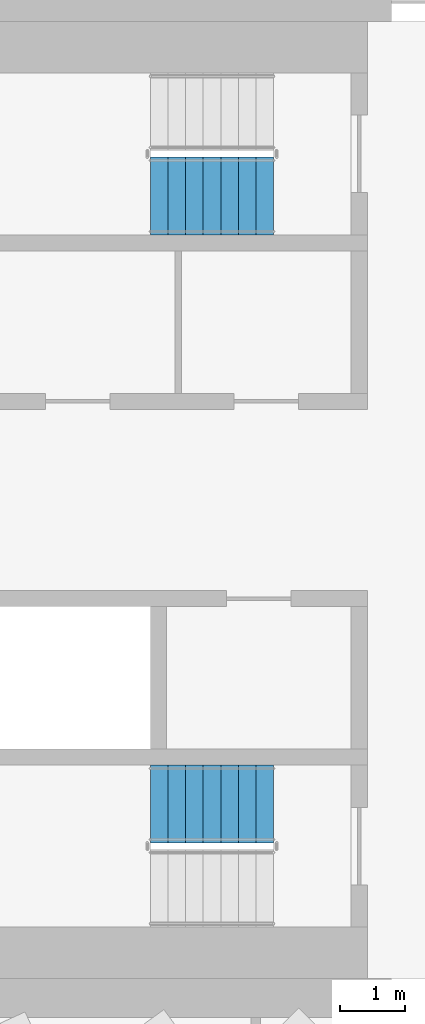
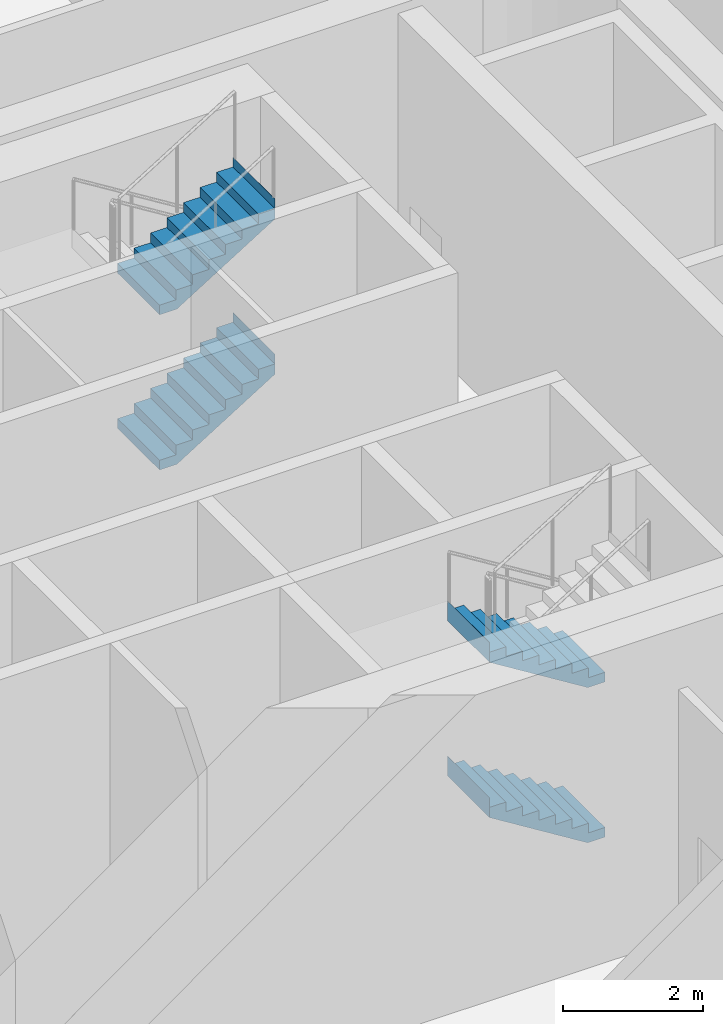
# One storey, part 10 of 18: 4 stair flights, 2 elements without a shape of their own.
"""IFC4 building model written with IfcOpenShell, lengths in metres."""

from ifc_helpers import new_model, si_unit, direction, frame, origin, place, context, subcontext, project, spatial, triangles, material, type_object, element, aggregate, save


model = new_model("IFC4")

# Units and contexts
model_context = context("Model", 3, precision=1e-05, world=origin(), true_north=direction((0.0, 1.0)))
body_context = subcontext(model_context, "Body", "Model", "MODEL_VIEW")
ifc_project = project(units=[si_unit("LENGTHUNIT", "METRE"), si_unit("AREAUNIT", "SQUARE_METRE"), si_unit("VOLUMEUNIT", "CUBIC_METRE"), si_unit("PLANEANGLEUNIT", "RADIAN"), si_unit("MASSUNIT", "GRAM", prefix="KILO")], contexts=[model_context])

# Site, building, storey
site_placement = place(None, origin())
site = spatial("IfcSite", under=ifc_project, at=site_placement, CompositionType="ELEMENT")
building_placement = place(site_placement, origin())
building = spatial("IfcBuilding", under=site, at=building_placement, Name="Sahrelin Media Tower", CompositionType="ELEMENT")
storey_placement = place(building_placement, frame((0.0, 0.0, 96.60009765625)))
storey = spatial("IfcBuildingStorey", under=building, at=storey_placement, Name="L18", CompositionType="ELEMENT", Elevation=96.60009765625)

# Stair, stair flights
ifc_material = material(Name="Concrete C40/50", Category="concrete")
stair_type = type_object("IfcStairType", Name="Exit stair 1200", PredefinedType="HALF_TURN_STAIR", material=ifc_material)
placement = place(storey_placement, origin())
stair_1 = element("IfcStair", 1, at=placement, inside=storey, type_object=stair_type, Name="L18 Exit stair ST3", PredefinedType="HALF_TURN_STAIR")
stair_flight_type = type_object("IfcStairFlightType", Name="Stair flight 1200", PredefinedType="STRAIGHT", material=ifc_material)
stair_flight_1_placement = place(storey_placement, frame((5.77490234375, 4.699951171875, 1.349853515625), z_axis=(0.0, 0.0, 1.0), x_axis=(1.0, 0.0, 0.0)))
stair_flight_1 = element("IfcStairFlight", 2, at=stair_flight_1_placement, type_object=stair_flight_type, Name="ST3 flight 2", NumberOfRisers=8, NumberOfTreads=7, PredefinedType="STRAIGHT", RiserHeight=0.16875, TreadLength=0.271428571, context=body_context, shape_type="Tessellation", body=[
    triangles([(0.283935546875, 0.60009765625, 0.0), (0.283935546875, 0.300048828125, 0.0), (0.283935546875, 0.0, 0.0), (0.283935546875, -0.300048828125, 0.0), (0.283935546875, -0.60009765625, 0.0), (1.89990234375, 0.60009765625, 1.004638671875), (1.89990234375, 0.300048828125, 1.004638671875), (1.89990234375, 0.0, 1.004638671875), (1.89990234375, -0.300048828125, 1.004638671875), (1.89990234375, -0.60009765625, 1.004638671875), (1.89990234375, 0.60009765625, 1.35009765625), (1.89990234375, 0.300048828125, 1.35009765625), (1.89990234375, 0.0, 1.35009765625), (1.89990234375, -0.300048828125, 1.35009765625), (1.89990234375, -0.60009765625, 1.35009765625), (1.89794921875, 0.60009765625, 1.35009765625), (1.89794921875, 0.300048828125, 1.35009765625), (1.89794921875, 0.0, 1.35009765625), (1.89794921875, -0.300048828125, 1.35009765625), (1.89794921875, -0.60009765625, 1.35009765625), (1.89794921875, 0.60009765625, 1.18115234375), (1.89794921875, 0.300048828125, 1.18115234375), (1.89794921875, 0.0, 1.18115234375), (1.89794921875, -0.300048828125, 1.18115234375), (1.89794921875, -0.60009765625, 1.18115234375), (1.628662109375, 0.60009765625, 1.18115234375), (1.628662109375, 0.300048828125, 1.18115234375), (1.628662109375, 0.0, 1.18115234375), (1.628662109375, -0.300048828125, 1.18115234375), (1.628662109375, -0.60009765625, 1.18115234375), (1.628662109375, 0.60009765625, 1.012451171875), (1.628662109375, 0.300048828125, 1.012451171875), (1.628662109375, 0.0, 1.012451171875), (1.628662109375, -0.300048828125, 1.012451171875), (1.628662109375, -0.60009765625, 1.012451171875), (1.357177734375, 0.60009765625, 1.012451171875), (1.357177734375, 0.300048828125, 1.012451171875), (1.357177734375, 0.0, 1.012451171875), (1.357177734375, -0.300048828125, 1.012451171875), (1.357177734375, -0.60009765625, 1.012451171875), (1.357177734375, 0.60009765625, 0.84375), (1.357177734375, 0.300048828125, 0.84375), (1.357177734375, 0.0, 0.84375), (1.357177734375, -0.300048828125, 0.84375), (1.357177734375, -0.60009765625, 0.84375), (1.085693359375, 0.60009765625, 0.84375), (1.085693359375, 0.300048828125, 0.84375), (1.085693359375, 0.0, 0.84375), (1.085693359375, -0.300048828125, 0.84375), (1.085693359375, -0.60009765625, 0.84375), (1.085693359375, 0.60009765625, 0.675048828125), (1.085693359375, 0.300048828125, 0.675048828125), (1.085693359375, 0.0, 0.675048828125), (1.085693359375, -0.300048828125, 0.675048828125), (1.085693359375, -0.60009765625, 0.675048828125), (0.814208984375, 0.60009765625, 0.675048828125), (0.814208984375, 0.300048828125, 0.675048828125), (0.814208984375, 0.0, 0.675048828125), (0.814208984375, -0.300048828125, 0.675048828125), (0.814208984375, -0.60009765625, 0.675048828125), (0.814208984375, 0.60009765625, 0.50634765625), (0.814208984375, 0.300048828125, 0.50634765625), (0.814208984375, 0.0, 0.50634765625), (0.814208984375, -0.300048828125, 0.50634765625), (0.814208984375, -0.60009765625, 0.50634765625), (0.54296875, 0.60009765625, 0.50634765625), (0.54296875, 0.300048828125, 0.50634765625), (0.54296875, 0.0, 0.50634765625), (0.54296875, -0.300048828125, 0.50634765625), (0.54296875, -0.60009765625, 0.50634765625), (0.54296875, 0.60009765625, 0.33740234375), (0.54296875, 0.300048828125, 0.33740234375), (0.54296875, 0.0, 0.33740234375), (0.54296875, -0.300048828125, 0.33740234375), (0.54296875, -0.60009765625, 0.33740234375), (0.271484375, 0.60009765625, 0.33740234375), (0.271484375, 0.300048828125, 0.33740234375), (0.271484375, 0.0, 0.33740234375), (0.271484375, -0.300048828125, 0.33740234375), (0.271484375, -0.60009765625, 0.33740234375), (0.271484375, 0.60009765625, 0.168701171875), (0.271484375, 0.300048828125, 0.168701171875), (0.271484375, 0.0, 0.168701171875), (0.271484375, -0.300048828125, 0.168701171875), (0.271484375, -0.60009765625, 0.168701171875), (0.0, 0.60009765625, 0.168701171875), (0.0, 0.300048828125, 0.168701171875), (0.0, 0.0, 0.168701171875), (0.0, -0.300048828125, 0.168701171875), (0.0, -0.60009765625, 0.168701171875), (0.0, 0.60009765625, 0.0), (0.0, 0.300048828125, 0.0), (0.0, 0.0, 0.0), (0.0, -0.300048828125, 0.0), (0.0, -0.60009765625, 0.0)], [[1, 6, 7], [1, 7, 2], [2, 7, 8], [2, 8, 3], [3, 8, 9], [3, 9, 4], [4, 9, 10], [4, 10, 5], [6, 11, 12], [6, 12, 7], [7, 12, 13], [7, 13, 8], [8, 13, 14], [8, 14, 9], [9, 14, 15], [9, 15, 10], [11, 16, 17], [11, 17, 12], [12, 17, 18], [12, 18, 13], [13, 18, 19], [13, 19, 14], [14, 19, 20], [14, 20, 15], [16, 21, 22], [16, 22, 17], [17, 22, 23], [17, 23, 18], [18, 23, 24], [18, 24, 19], [19, 24, 25], [19, 25, 20], [21, 26, 27], [21, 27, 22], [22, 27, 28], [22, 28, 23], [23, 28, 29], [23, 29, 24], [24, 29, 30], [24, 30, 25], [26, 31, 32], [26, 32, 27], [27, 32, 33], [27, 33, 28], [28, 33, 34], [28, 34, 29], [29, 34, 35], [29, 35, 30], [31, 36, 37], [31, 37, 32], [32, 37, 38], [32, 38, 33], [33, 38, 39], [33, 39, 34], [34, 39, 40], [34, 40, 35], [36, 41, 42], [36, 42, 37], [37, 42, 43], [37, 43, 38], [38, 43, 44], [38, 44, 39], [39, 44, 45], [39, 45, 40], [41, 46, 47], [41, 47, 42], [42, 47, 48], [42, 48, 43], [43, 48, 49], [43, 49, 44], [44, 49, 50], [44, 50, 45], [46, 51, 52], [46, 52, 47], [47, 52, 53], [47, 53, 48], [48, 53, 54], [48, 54, 49], [49, 54, 55], [49, 55, 50], [51, 56, 57], [51, 57, 52], [52, 57, 58], [52, 58, 53], [53, 58, 59], [53, 59, 54], [54, 59, 60], [54, 60, 55], [56, 61, 62], [56, 62, 57], [57, 62, 63], [57, 63, 58], [58, 63, 64], [58, 64, 59], [59, 64, 65], [59, 65, 60], [61, 66, 67], [61, 67, 62], [62, 67, 68], [62, 68, 63], [63, 68, 69], [63, 69, 64], [64, 69, 70], [64, 70, 65], [66, 71, 72], [66, 72, 67], [67, 72, 73], [67, 73, 68], [68, 73, 74], [68, 74, 69], [69, 74, 75], [69, 75, 70], [71, 76, 77], [71, 77, 72], [72, 77, 78], [72, 78, 73], [73, 78, 79], [73, 79, 74], [74, 79, 80], [74, 80, 75], [76, 81, 82], [76, 82, 77], [77, 82, 83], [77, 83, 78], [78, 83, 84], [78, 84, 79], [79, 84, 85], [79, 85, 80], [81, 86, 87], [81, 87, 82], [82, 87, 88], [82, 88, 83], [83, 88, 89], [83, 89, 84], [84, 89, 90], [84, 90, 85], [86, 91, 92], [86, 92, 87], [87, 92, 93], [87, 93, 88], [88, 93, 94], [88, 94, 89], [89, 94, 95], [89, 95, 90], [91, 1, 2], [91, 2, 92], [92, 2, 3], [92, 3, 93], [93, 3, 4], [93, 4, 94], [94, 4, 5], [94, 5, 95], [85, 90, 95], [81, 91, 86], [85, 75, 80], [81, 76, 71], [75, 65, 70], [71, 66, 61], [65, 55, 60], [61, 56, 51], [55, 45, 50], [51, 46, 41], [45, 35, 40], [41, 36, 31], [35, 25, 30], [31, 26, 21], [25, 15, 20], [21, 16, 11], [95, 5, 85], [91, 81, 1], [5, 55, 65], [1, 61, 51], [25, 10, 15], [21, 11, 6], [75, 85, 5], [71, 1, 81], [10, 45, 55], [6, 51, 41], [35, 10, 25], [31, 21, 6], [65, 75, 5], [61, 1, 71], [45, 10, 35], [41, 31, 6], [5, 10, 55], [1, 51, 6]], closed=True),
])
stair_flight_2_placement = place(storey_placement, frame((5.77490234375, 4.699951171875, 4.0498046875), z_axis=(0.0, 0.0, 1.0), x_axis=(1.0, 0.0, 0.0)))
stair_flight_2 = element("IfcStairFlight", 3, at=stair_flight_2_placement, type_object=stair_flight_type, Name="ST3 flight 4", NumberOfRisers=8, NumberOfTreads=7, PredefinedType="STRAIGHT", RiserHeight=0.16875, TreadLength=0.271428571, context=body_context, shape_type="Tessellation", body=[
    triangles([(0.283935546875, 0.60009765625, 0.0), (0.283935546875, 0.300048828125, 0.0), (0.283935546875, 0.0, 0.0), (0.283935546875, -0.300048828125, 0.0), (0.283935546875, -0.60009765625, 0.0), (1.89990234375, 0.60009765625, 1.004638671875), (1.89990234375, 0.300048828125, 1.004638671875), (1.89990234375, 0.0, 1.004638671875), (1.89990234375, -0.300048828125, 1.004638671875), (1.89990234375, -0.60009765625, 1.004638671875), (1.89990234375, 0.60009765625, 1.35009765625), (1.89990234375, 0.300048828125, 1.35009765625), (1.89990234375, 0.0, 1.35009765625), (1.89990234375, -0.300048828125, 1.35009765625), (1.89990234375, -0.60009765625, 1.35009765625), (1.89794921875, 0.60009765625, 1.35009765625), (1.89794921875, 0.300048828125, 1.35009765625), (1.89794921875, 0.0, 1.35009765625), (1.89794921875, -0.300048828125, 1.35009765625), (1.89794921875, -0.60009765625, 1.35009765625), (1.89794921875, 0.60009765625, 1.18115234375), (1.89794921875, 0.300048828125, 1.18115234375), (1.89794921875, 0.0, 1.18115234375), (1.89794921875, -0.300048828125, 1.18115234375), (1.89794921875, -0.60009765625, 1.18115234375), (1.628662109375, 0.60009765625, 1.18115234375), (1.628662109375, 0.300048828125, 1.18115234375), (1.628662109375, 0.0, 1.18115234375), (1.628662109375, -0.300048828125, 1.18115234375), (1.628662109375, -0.60009765625, 1.18115234375), (1.628662109375, 0.60009765625, 1.012451171875), (1.628662109375, 0.300048828125, 1.012451171875), (1.628662109375, 0.0, 1.012451171875), (1.628662109375, -0.300048828125, 1.012451171875), (1.628662109375, -0.60009765625, 1.012451171875), (1.357177734375, 0.60009765625, 1.012451171875), (1.357177734375, 0.300048828125, 1.012451171875), (1.357177734375, 0.0, 1.012451171875), (1.357177734375, -0.300048828125, 1.012451171875), (1.357177734375, -0.60009765625, 1.012451171875), (1.357177734375, 0.60009765625, 0.84375), (1.357177734375, 0.300048828125, 0.84375), (1.357177734375, 0.0, 0.84375), (1.357177734375, -0.300048828125, 0.84375), (1.357177734375, -0.60009765625, 0.84375), (1.085693359375, 0.60009765625, 0.84375), (1.085693359375, 0.300048828125, 0.84375), (1.085693359375, 0.0, 0.84375), (1.085693359375, -0.300048828125, 0.84375), (1.085693359375, -0.60009765625, 0.84375), (1.085693359375, 0.60009765625, 0.675048828125), (1.085693359375, 0.300048828125, 0.675048828125), (1.085693359375, 0.0, 0.675048828125), (1.085693359375, -0.300048828125, 0.675048828125), (1.085693359375, -0.60009765625, 0.675048828125), (0.814208984375, 0.60009765625, 0.675048828125), (0.814208984375, 0.300048828125, 0.675048828125), (0.814208984375, 0.0, 0.675048828125), (0.814208984375, -0.300048828125, 0.675048828125), (0.814208984375, -0.60009765625, 0.675048828125), (0.814208984375, 0.60009765625, 0.50634765625), (0.814208984375, 0.300048828125, 0.50634765625), (0.814208984375, 0.0, 0.50634765625), (0.814208984375, -0.300048828125, 0.50634765625), (0.814208984375, -0.60009765625, 0.50634765625), (0.54296875, 0.60009765625, 0.50634765625), (0.54296875, 0.300048828125, 0.50634765625), (0.54296875, 0.0, 0.50634765625), (0.54296875, -0.300048828125, 0.50634765625), (0.54296875, -0.60009765625, 0.50634765625), (0.54296875, 0.60009765625, 0.33740234375), (0.54296875, 0.300048828125, 0.33740234375), (0.54296875, 0.0, 0.33740234375), (0.54296875, -0.300048828125, 0.33740234375), (0.54296875, -0.60009765625, 0.33740234375), (0.271484375, 0.60009765625, 0.33740234375), (0.271484375, 0.300048828125, 0.33740234375), (0.271484375, 0.0, 0.33740234375), (0.271484375, -0.300048828125, 0.33740234375), (0.271484375, -0.60009765625, 0.33740234375), (0.271484375, 0.60009765625, 0.168701171875), (0.271484375, 0.300048828125, 0.168701171875), (0.271484375, 0.0, 0.168701171875), (0.271484375, -0.300048828125, 0.168701171875), (0.271484375, -0.60009765625, 0.168701171875), (0.0, 0.60009765625, 0.168701171875), (0.0, 0.300048828125, 0.168701171875), (0.0, 0.0, 0.168701171875), (0.0, -0.300048828125, 0.168701171875), (0.0, -0.60009765625, 0.168701171875), (0.0, 0.60009765625, 0.0), (0.0, 0.300048828125, 0.0), (0.0, 0.0, 0.0), (0.0, -0.300048828125, 0.0), (0.0, -0.60009765625, 0.0)], [[1, 6, 7], [1, 7, 2], [2, 7, 8], [2, 8, 3], [3, 8, 9], [3, 9, 4], [4, 9, 10], [4, 10, 5], [6, 11, 12], [6, 12, 7], [7, 12, 13], [7, 13, 8], [8, 13, 14], [8, 14, 9], [9, 14, 15], [9, 15, 10], [11, 16, 17], [11, 17, 12], [12, 17, 18], [12, 18, 13], [13, 18, 19], [13, 19, 14], [14, 19, 20], [14, 20, 15], [16, 21, 22], [16, 22, 17], [17, 22, 23], [17, 23, 18], [18, 23, 24], [18, 24, 19], [19, 24, 25], [19, 25, 20], [21, 26, 27], [21, 27, 22], [22, 27, 28], [22, 28, 23], [23, 28, 29], [23, 29, 24], [24, 29, 30], [24, 30, 25], [26, 31, 32], [26, 32, 27], [27, 32, 33], [27, 33, 28], [28, 33, 34], [28, 34, 29], [29, 34, 35], [29, 35, 30], [31, 36, 37], [31, 37, 32], [32, 37, 38], [32, 38, 33], [33, 38, 39], [33, 39, 34], [34, 39, 40], [34, 40, 35], [36, 41, 42], [36, 42, 37], [37, 42, 43], [37, 43, 38], [38, 43, 44], [38, 44, 39], [39, 44, 45], [39, 45, 40], [41, 46, 47], [41, 47, 42], [42, 47, 48], [42, 48, 43], [43, 48, 49], [43, 49, 44], [44, 49, 50], [44, 50, 45], [46, 51, 52], [46, 52, 47], [47, 52, 53], [47, 53, 48], [48, 53, 54], [48, 54, 49], [49, 54, 55], [49, 55, 50], [51, 56, 57], [51, 57, 52], [52, 57, 58], [52, 58, 53], [53, 58, 59], [53, 59, 54], [54, 59, 60], [54, 60, 55], [56, 61, 62], [56, 62, 57], [57, 62, 63], [57, 63, 58], [58, 63, 64], [58, 64, 59], [59, 64, 65], [59, 65, 60], [61, 66, 67], [61, 67, 62], [62, 67, 68], [62, 68, 63], [63, 68, 69], [63, 69, 64], [64, 69, 70], [64, 70, 65], [66, 71, 72], [66, 72, 67], [67, 72, 73], [67, 73, 68], [68, 73, 74], [68, 74, 69], [69, 74, 75], [69, 75, 70], [71, 76, 77], [71, 77, 72], [72, 77, 78], [72, 78, 73], [73, 78, 79], [73, 79, 74], [74, 79, 80], [74, 80, 75], [76, 81, 82], [76, 82, 77], [77, 82, 83], [77, 83, 78], [78, 83, 84], [78, 84, 79], [79, 84, 85], [79, 85, 80], [81, 86, 87], [81, 87, 82], [82, 87, 88], [82, 88, 83], [83, 88, 89], [83, 89, 84], [84, 89, 90], [84, 90, 85], [86, 91, 92], [86, 92, 87], [87, 92, 93], [87, 93, 88], [88, 93, 94], [88, 94, 89], [89, 94, 95], [89, 95, 90], [91, 1, 2], [91, 2, 92], [92, 2, 3], [92, 3, 93], [93, 3, 4], [93, 4, 94], [94, 4, 5], [94, 5, 95], [85, 90, 95], [81, 91, 86], [85, 75, 80], [81, 76, 71], [75, 65, 70], [71, 66, 61], [65, 55, 60], [61, 56, 51], [55, 45, 50], [51, 46, 41], [45, 35, 40], [41, 36, 31], [35, 25, 30], [31, 26, 21], [25, 15, 20], [21, 16, 11], [95, 5, 85], [91, 81, 1], [5, 55, 65], [1, 61, 51], [25, 10, 15], [21, 11, 6], [75, 85, 5], [71, 1, 81], [10, 45, 55], [6, 51, 41], [35, 10, 25], [31, 21, 6], [65, 75, 5], [61, 1, 71], [45, 10, 35], [41, 31, 6], [5, 10, 55], [1, 51, 6]], closed=True),
])
aggregate(stair_1, [stair_flight_1, stair_flight_2])

stair_2 = element("IfcStair", 4, at=placement, inside=storey, type_object=stair_type, Name="L18 Exit stair ST2", PredefinedType="HALF_TURN_STAIR")
stair_flight_3_placement = place(storey_placement, frame((7.675048828125, -4.699951171875, 0.0), z_axis=(0.0, 0.0, 1.0), x_axis=(-1.0, 0.0, 0.0)))
stair_flight_3 = element("IfcStairFlight", 5, at=stair_flight_3_placement, type_object=stair_flight_type, Name="ST2 flight 1", NumberOfRisers=8, NumberOfTreads=7, PredefinedType="STRAIGHT", RiserHeight=0.16875, TreadLength=0.271428571, context=body_context, shape_type="Tessellation", body=[
    triangles([(0.283935546875, 0.60009765625, 0.0), (0.283935546875, 0.300048828125, 0.0), (0.283935546875, 0.0, 0.0), (0.283935546875, -0.300048828125, 0.0), (0.283935546875, -0.60009765625, 0.0), (1.89990234375, 0.60009765625, 1.004638671875), (1.89990234375, 0.300048828125, 1.004638671875), (1.89990234375, 0.0, 1.004638671875), (1.89990234375, -0.300048828125, 1.004638671875), (1.89990234375, -0.60009765625, 1.004638671875), (1.89990234375, 0.60009765625, 1.35009765625), (1.89990234375, 0.300048828125, 1.35009765625), (1.89990234375, 0.0, 1.35009765625), (1.89990234375, -0.300048828125, 1.35009765625), (1.89990234375, -0.60009765625, 1.35009765625), (1.89794921875, 0.60009765625, 1.35009765625), (1.89794921875, 0.300048828125, 1.35009765625), (1.89794921875, 0.0, 1.35009765625), (1.89794921875, -0.300048828125, 1.35009765625), (1.89794921875, -0.60009765625, 1.35009765625), (1.89794921875, 0.60009765625, 1.18115234375), (1.89794921875, 0.300048828125, 1.18115234375), (1.89794921875, 0.0, 1.18115234375), (1.89794921875, -0.300048828125, 1.18115234375), (1.89794921875, -0.60009765625, 1.18115234375), (1.628662109375, 0.60009765625, 1.18115234375), (1.628662109375, 0.300048828125, 1.18115234375), (1.628662109375, 0.0, 1.18115234375), (1.628662109375, -0.300048828125, 1.18115234375), (1.628662109375, -0.60009765625, 1.18115234375), (1.628662109375, 0.60009765625, 1.012451171875), (1.628662109375, 0.300048828125, 1.012451171875), (1.628662109375, 0.0, 1.012451171875), (1.628662109375, -0.300048828125, 1.012451171875), (1.628662109375, -0.60009765625, 1.012451171875), (1.357177734375, 0.60009765625, 1.012451171875), (1.357177734375, 0.300048828125, 1.012451171875), (1.357177734375, 0.0, 1.012451171875), (1.357177734375, -0.300048828125, 1.012451171875), (1.357177734375, -0.60009765625, 1.012451171875), (1.357177734375, 0.60009765625, 0.84375), (1.357177734375, 0.300048828125, 0.84375), (1.357177734375, 0.0, 0.84375), (1.357177734375, -0.300048828125, 0.84375), (1.357177734375, -0.60009765625, 0.84375), (1.085693359375, 0.60009765625, 0.84375), (1.085693359375, 0.300048828125, 0.84375), (1.085693359375, 0.0, 0.84375), (1.085693359375, -0.300048828125, 0.84375), (1.085693359375, -0.60009765625, 0.84375), (1.085693359375, 0.60009765625, 0.675048828125), (1.085693359375, 0.300048828125, 0.675048828125), (1.085693359375, 0.0, 0.675048828125), (1.085693359375, -0.300048828125, 0.675048828125), (1.085693359375, -0.60009765625, 0.675048828125), (0.814208984375, 0.60009765625, 0.675048828125), (0.814208984375, 0.300048828125, 0.675048828125), (0.814208984375, 0.0, 0.675048828125), (0.814208984375, -0.300048828125, 0.675048828125), (0.814208984375, -0.60009765625, 0.675048828125), (0.814208984375, 0.60009765625, 0.50634765625), (0.814208984375, 0.300048828125, 0.50634765625), (0.814208984375, 0.0, 0.50634765625), (0.814208984375, -0.300048828125, 0.50634765625), (0.814208984375, -0.60009765625, 0.50634765625), (0.54296875, 0.60009765625, 0.50634765625), (0.54296875, 0.300048828125, 0.50634765625), (0.54296875, 0.0, 0.50634765625), (0.54296875, -0.300048828125, 0.50634765625), (0.54296875, -0.60009765625, 0.50634765625), (0.54296875, 0.60009765625, 0.33740234375), (0.54296875, 0.300048828125, 0.33740234375), (0.54296875, 0.0, 0.33740234375), (0.54296875, -0.300048828125, 0.33740234375), (0.54296875, -0.60009765625, 0.33740234375), (0.271484375, 0.60009765625, 0.33740234375), (0.271484375, 0.300048828125, 0.33740234375), (0.271484375, 0.0, 0.33740234375), (0.271484375, -0.300048828125, 0.33740234375), (0.271484375, -0.60009765625, 0.33740234375), (0.271484375, 0.60009765625, 0.168701171875), (0.271484375, 0.300048828125, 0.168701171875), (0.271484375, 0.0, 0.168701171875), (0.271484375, -0.300048828125, 0.168701171875), (0.271484375, -0.60009765625, 0.168701171875), (0.0, 0.60009765625, 0.168701171875), (0.0, 0.300048828125, 0.168701171875), (0.0, 0.0, 0.168701171875), (0.0, -0.300048828125, 0.168701171875), (0.0, -0.60009765625, 0.168701171875), (0.0, 0.60009765625, 0.0), (0.0, 0.300048828125, 0.0), (0.0, 0.0, 0.0), (0.0, -0.300048828125, 0.0), (0.0, -0.60009765625, 0.0)], [[1, 6, 7], [1, 7, 2], [2, 7, 8], [2, 8, 3], [3, 8, 9], [3, 9, 4], [4, 9, 10], [4, 10, 5], [6, 11, 12], [6, 12, 7], [7, 12, 13], [7, 13, 8], [8, 13, 14], [8, 14, 9], [9, 14, 15], [9, 15, 10], [11, 16, 17], [11, 17, 12], [12, 17, 18], [12, 18, 13], [13, 18, 19], [13, 19, 14], [14, 19, 20], [14, 20, 15], [16, 21, 22], [16, 22, 17], [17, 22, 23], [17, 23, 18], [18, 23, 24], [18, 24, 19], [19, 24, 25], [19, 25, 20], [21, 26, 27], [21, 27, 22], [22, 27, 28], [22, 28, 23], [23, 28, 29], [23, 29, 24], [24, 29, 30], [24, 30, 25], [26, 31, 32], [26, 32, 27], [27, 32, 33], [27, 33, 28], [28, 33, 34], [28, 34, 29], [29, 34, 35], [29, 35, 30], [31, 36, 37], [31, 37, 32], [32, 37, 38], [32, 38, 33], [33, 38, 39], [33, 39, 34], [34, 39, 40], [34, 40, 35], [36, 41, 42], [36, 42, 37], [37, 42, 43], [37, 43, 38], [38, 43, 44], [38, 44, 39], [39, 44, 45], [39, 45, 40], [41, 46, 47], [41, 47, 42], [42, 47, 48], [42, 48, 43], [43, 48, 49], [43, 49, 44], [44, 49, 50], [44, 50, 45], [46, 51, 52], [46, 52, 47], [47, 52, 53], [47, 53, 48], [48, 53, 54], [48, 54, 49], [49, 54, 55], [49, 55, 50], [51, 56, 57], [51, 57, 52], [52, 57, 58], [52, 58, 53], [53, 58, 59], [53, 59, 54], [54, 59, 60], [54, 60, 55], [56, 61, 62], [56, 62, 57], [57, 62, 63], [57, 63, 58], [58, 63, 64], [58, 64, 59], [59, 64, 65], [59, 65, 60], [61, 66, 67], [61, 67, 62], [62, 67, 68], [62, 68, 63], [63, 68, 69], [63, 69, 64], [64, 69, 70], [64, 70, 65], [66, 71, 72], [66, 72, 67], [67, 72, 73], [67, 73, 68], [68, 73, 74], [68, 74, 69], [69, 74, 75], [69, 75, 70], [71, 76, 77], [71, 77, 72], [72, 77, 78], [72, 78, 73], [73, 78, 79], [73, 79, 74], [74, 79, 80], [74, 80, 75], [76, 81, 82], [76, 82, 77], [77, 82, 83], [77, 83, 78], [78, 83, 84], [78, 84, 79], [79, 84, 85], [79, 85, 80], [81, 86, 87], [81, 87, 82], [82, 87, 88], [82, 88, 83], [83, 88, 89], [83, 89, 84], [84, 89, 90], [84, 90, 85], [86, 91, 92], [86, 92, 87], [87, 92, 93], [87, 93, 88], [88, 93, 94], [88, 94, 89], [89, 94, 95], [89, 95, 90], [91, 1, 2], [91, 2, 92], [92, 2, 3], [92, 3, 93], [93, 3, 4], [93, 4, 94], [94, 4, 5], [94, 5, 95], [85, 90, 95], [81, 91, 86], [85, 75, 80], [81, 76, 71], [75, 65, 70], [71, 66, 61], [65, 55, 60], [61, 56, 51], [55, 45, 50], [51, 46, 41], [45, 35, 40], [41, 36, 31], [35, 25, 30], [31, 26, 21], [25, 15, 20], [21, 16, 11], [95, 5, 85], [91, 81, 1], [5, 55, 65], [1, 61, 51], [25, 10, 15], [21, 11, 6], [75, 85, 5], [71, 1, 81], [10, 45, 55], [6, 51, 41], [35, 10, 25], [31, 21, 6], [65, 75, 5], [61, 1, 71], [45, 10, 35], [41, 31, 6], [5, 10, 55], [1, 51, 6]], closed=True),
])
stair_flight_4_placement = place(storey_placement, frame((7.675048828125, -4.699951171875, 2.699951171875), z_axis=(0.0, 0.0, 1.0), x_axis=(-1.0, 0.0, 0.0)))
stair_flight_4 = element("IfcStairFlight", 6, at=stair_flight_4_placement, type_object=stair_flight_type, Name="ST2 flight 3", NumberOfRisers=8, NumberOfTreads=7, PredefinedType="STRAIGHT", RiserHeight=0.16875, TreadLength=0.271428571, context=body_context, shape_type="Tessellation", body=[
    triangles([(0.283935546875, 0.60009765625, 0.0), (0.283935546875, 0.300048828125, 0.0), (0.283935546875, 0.0, 0.0), (0.283935546875, -0.300048828125, 0.0), (0.283935546875, -0.60009765625, 0.0), (1.89990234375, 0.60009765625, 1.004638671875), (1.89990234375, 0.300048828125, 1.004638671875), (1.89990234375, 0.0, 1.004638671875), (1.89990234375, -0.300048828125, 1.004638671875), (1.89990234375, -0.60009765625, 1.004638671875), (1.89990234375, 0.60009765625, 1.35009765625), (1.89990234375, 0.300048828125, 1.35009765625), (1.89990234375, 0.0, 1.35009765625), (1.89990234375, -0.300048828125, 1.35009765625), (1.89990234375, -0.60009765625, 1.35009765625), (1.89794921875, 0.60009765625, 1.35009765625), (1.89794921875, 0.300048828125, 1.35009765625), (1.89794921875, 0.0, 1.35009765625), (1.89794921875, -0.300048828125, 1.35009765625), (1.89794921875, -0.60009765625, 1.35009765625), (1.89794921875, 0.60009765625, 1.18115234375), (1.89794921875, 0.300048828125, 1.18115234375), (1.89794921875, 0.0, 1.18115234375), (1.89794921875, -0.300048828125, 1.18115234375), (1.89794921875, -0.60009765625, 1.18115234375), (1.628662109375, 0.60009765625, 1.18115234375), (1.628662109375, 0.300048828125, 1.18115234375), (1.628662109375, 0.0, 1.18115234375), (1.628662109375, -0.300048828125, 1.18115234375), (1.628662109375, -0.60009765625, 1.18115234375), (1.628662109375, 0.60009765625, 1.012451171875), (1.628662109375, 0.300048828125, 1.012451171875), (1.628662109375, 0.0, 1.012451171875), (1.628662109375, -0.300048828125, 1.012451171875), (1.628662109375, -0.60009765625, 1.012451171875), (1.357177734375, 0.60009765625, 1.012451171875), (1.357177734375, 0.300048828125, 1.012451171875), (1.357177734375, 0.0, 1.012451171875), (1.357177734375, -0.300048828125, 1.012451171875), (1.357177734375, -0.60009765625, 1.012451171875), (1.357177734375, 0.60009765625, 0.84375), (1.357177734375, 0.300048828125, 0.84375), (1.357177734375, 0.0, 0.84375), (1.357177734375, -0.300048828125, 0.84375), (1.357177734375, -0.60009765625, 0.84375), (1.085693359375, 0.60009765625, 0.84375), (1.085693359375, 0.300048828125, 0.84375), (1.085693359375, 0.0, 0.84375), (1.085693359375, -0.300048828125, 0.84375), (1.085693359375, -0.60009765625, 0.84375), (1.085693359375, 0.60009765625, 0.675048828125), (1.085693359375, 0.300048828125, 0.675048828125), (1.085693359375, 0.0, 0.675048828125), (1.085693359375, -0.300048828125, 0.675048828125), (1.085693359375, -0.60009765625, 0.675048828125), (0.814208984375, 0.60009765625, 0.675048828125), (0.814208984375, 0.300048828125, 0.675048828125), (0.814208984375, 0.0, 0.675048828125), (0.814208984375, -0.300048828125, 0.675048828125), (0.814208984375, -0.60009765625, 0.675048828125), (0.814208984375, 0.60009765625, 0.50634765625), (0.814208984375, 0.300048828125, 0.50634765625), (0.814208984375, 0.0, 0.50634765625), (0.814208984375, -0.300048828125, 0.50634765625), (0.814208984375, -0.60009765625, 0.50634765625), (0.54296875, 0.60009765625, 0.50634765625), (0.54296875, 0.300048828125, 0.50634765625), (0.54296875, 0.0, 0.50634765625), (0.54296875, -0.300048828125, 0.50634765625), (0.54296875, -0.60009765625, 0.50634765625), (0.54296875, 0.60009765625, 0.33740234375), (0.54296875, 0.300048828125, 0.33740234375), (0.54296875, 0.0, 0.33740234375), (0.54296875, -0.300048828125, 0.33740234375), (0.54296875, -0.60009765625, 0.33740234375), (0.271484375, 0.60009765625, 0.33740234375), (0.271484375, 0.300048828125, 0.33740234375), (0.271484375, 0.0, 0.33740234375), (0.271484375, -0.300048828125, 0.33740234375), (0.271484375, -0.60009765625, 0.33740234375), (0.271484375, 0.60009765625, 0.168701171875), (0.271484375, 0.300048828125, 0.168701171875), (0.271484375, 0.0, 0.168701171875), (0.271484375, -0.300048828125, 0.168701171875), (0.271484375, -0.60009765625, 0.168701171875), (0.0, 0.60009765625, 0.168701171875), (0.0, 0.300048828125, 0.168701171875), (0.0, 0.0, 0.168701171875), (0.0, -0.300048828125, 0.168701171875), (0.0, -0.60009765625, 0.168701171875), (0.0, 0.60009765625, 0.0), (0.0, 0.300048828125, 0.0), (0.0, 0.0, 0.0), (0.0, -0.300048828125, 0.0), (0.0, -0.60009765625, 0.0)], [[1, 6, 7], [1, 7, 2], [2, 7, 8], [2, 8, 3], [3, 8, 9], [3, 9, 4], [4, 9, 10], [4, 10, 5], [6, 11, 12], [6, 12, 7], [7, 12, 13], [7, 13, 8], [8, 13, 14], [8, 14, 9], [9, 14, 15], [9, 15, 10], [11, 16, 17], [11, 17, 12], [12, 17, 18], [12, 18, 13], [13, 18, 19], [13, 19, 14], [14, 19, 20], [14, 20, 15], [16, 21, 22], [16, 22, 17], [17, 22, 23], [17, 23, 18], [18, 23, 24], [18, 24, 19], [19, 24, 25], [19, 25, 20], [21, 26, 27], [21, 27, 22], [22, 27, 28], [22, 28, 23], [23, 28, 29], [23, 29, 24], [24, 29, 30], [24, 30, 25], [26, 31, 32], [26, 32, 27], [27, 32, 33], [27, 33, 28], [28, 33, 34], [28, 34, 29], [29, 34, 35], [29, 35, 30], [31, 36, 37], [31, 37, 32], [32, 37, 38], [32, 38, 33], [33, 38, 39], [33, 39, 34], [34, 39, 40], [34, 40, 35], [36, 41, 42], [36, 42, 37], [37, 42, 43], [37, 43, 38], [38, 43, 44], [38, 44, 39], [39, 44, 45], [39, 45, 40], [41, 46, 47], [41, 47, 42], [42, 47, 48], [42, 48, 43], [43, 48, 49], [43, 49, 44], [44, 49, 50], [44, 50, 45], [46, 51, 52], [46, 52, 47], [47, 52, 53], [47, 53, 48], [48, 53, 54], [48, 54, 49], [49, 54, 55], [49, 55, 50], [51, 56, 57], [51, 57, 52], [52, 57, 58], [52, 58, 53], [53, 58, 59], [53, 59, 54], [54, 59, 60], [54, 60, 55], [56, 61, 62], [56, 62, 57], [57, 62, 63], [57, 63, 58], [58, 63, 64], [58, 64, 59], [59, 64, 65], [59, 65, 60], [61, 66, 67], [61, 67, 62], [62, 67, 68], [62, 68, 63], [63, 68, 69], [63, 69, 64], [64, 69, 70], [64, 70, 65], [66, 71, 72], [66, 72, 67], [67, 72, 73], [67, 73, 68], [68, 73, 74], [68, 74, 69], [69, 74, 75], [69, 75, 70], [71, 76, 77], [71, 77, 72], [72, 77, 78], [72, 78, 73], [73, 78, 79], [73, 79, 74], [74, 79, 80], [74, 80, 75], [76, 81, 82], [76, 82, 77], [77, 82, 83], [77, 83, 78], [78, 83, 84], [78, 84, 79], [79, 84, 85], [79, 85, 80], [81, 86, 87], [81, 87, 82], [82, 87, 88], [82, 88, 83], [83, 88, 89], [83, 89, 84], [84, 89, 90], [84, 90, 85], [86, 91, 92], [86, 92, 87], [87, 92, 93], [87, 93, 88], [88, 93, 94], [88, 94, 89], [89, 94, 95], [89, 95, 90], [91, 1, 2], [91, 2, 92], [92, 2, 3], [92, 3, 93], [93, 3, 4], [93, 4, 94], [94, 4, 5], [94, 5, 95], [85, 90, 95], [81, 91, 86], [85, 75, 80], [81, 76, 71], [75, 65, 70], [71, 66, 61], [65, 55, 60], [61, 56, 51], [55, 45, 50], [51, 46, 41], [45, 35, 40], [41, 36, 31], [35, 25, 30], [31, 26, 21], [25, 15, 20], [21, 16, 11], [95, 5, 85], [91, 81, 1], [5, 55, 65], [1, 61, 51], [25, 10, 15], [21, 11, 6], [75, 85, 5], [71, 1, 81], [10, 45, 55], [6, 51, 41], [35, 10, 25], [31, 21, 6], [65, 75, 5], [61, 1, 71], [45, 10, 35], [41, 31, 6], [5, 10, 55], [1, 51, 6]], closed=True),
])
aggregate(stair_2, [stair_flight_3, stair_flight_4])

save(model, "model.ifc")
